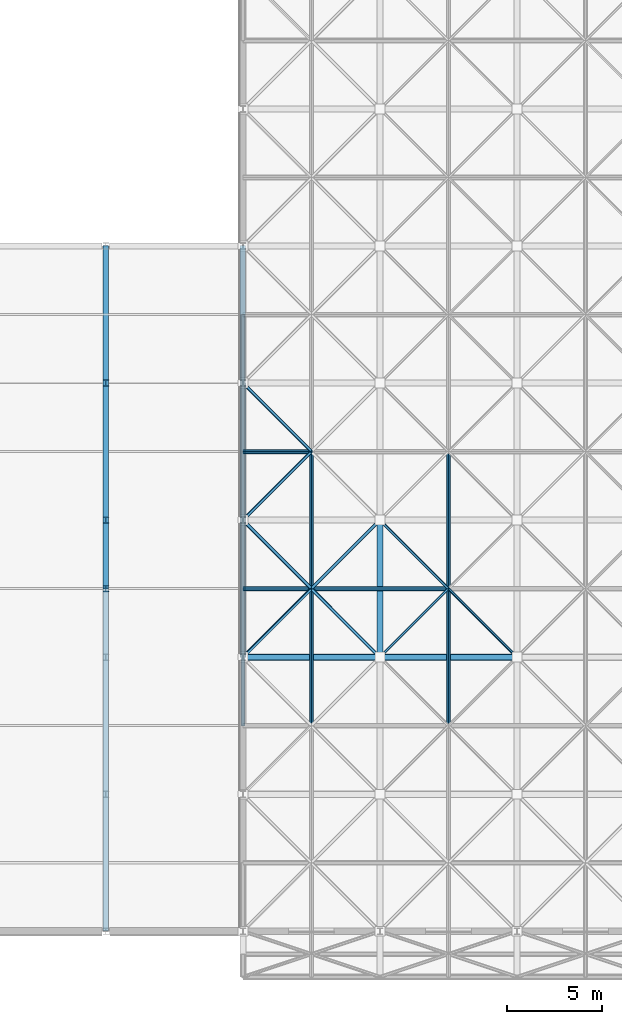
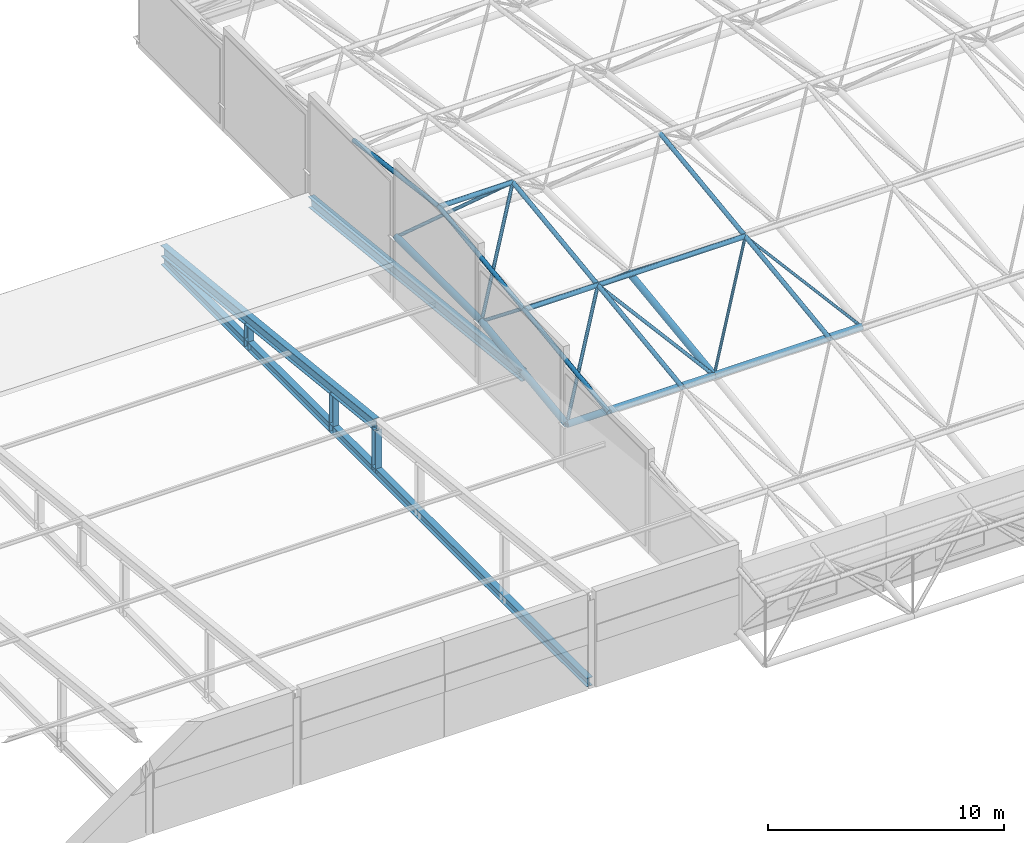
# One storey, part 35 of 103: 30 members.
"""IFC4 building model written with IfcOpenShell, lengths in metres."""

import ifcopenshell
import ifcopenshell.guid

model = None  # the IFC model being written
_history = None  # IfcOwnerHistory: only IFC2X3 demands one
_inside = {}  # id of a spatial element -> (the spatial element, [elements in it])
_under = {}  # id of a project, library or spatial element -> (it, [spatial elements below it])
_declared = {}  # id of a project -> (the project, [libraries it declares])
_typed = {}  # id of a type object -> (the type object, [elements of that type])
_made_of = {}  # id of a material, layer set ... -> (it, [elements and type objects made of it])


def new_model(schema):
    """Start an empty IFC model of exactly this schema.

    Asked for "IFC4X3", IfcOpenShell would pick the latest addendum, in which some entities
    have other attributes; the version numbers below select the first issue.
    IFC2X3 requires an IfcOwnerHistory on every rooted entity: one is made here for all.
    """
    global model, _history
    if schema == "IFC4X3":
        model = ifcopenshell.file(schema_version=(4, 3, 0, 0))
    else:
        model = ifcopenshell.file(schema=schema)
    _inside.clear()
    _under.clear()
    _declared.clear()
    _typed.clear()
    _made_of.clear()
    _history = None
    if model.schema == "IFC2X3":
        org = make("IfcOrganization", Name="unknown")
        user = make(
            "IfcPersonAndOrganization",
            ThePerson=make("IfcPerson", FamilyName="unknown"),
            TheOrganization=org,
        )
        app = make(
            "IfcApplication",
            ApplicationDeveloper=org,
            Version="unknown",
            ApplicationFullName="unknown",
            ApplicationIdentifier="unknown",
        )
        _history = make(
            "IfcOwnerHistory",
            OwningUser=user,
            OwningApplication=app,
            ChangeAction="ADDED",
            CreationDate=0,
        )
    return model


def make(cls, **values):
    """One entity of the class cls with the attributes given. An attribute that is None is left unset."""
    return model.create_entity(
        cls, **{name: value for name, value in values.items() if value is not None}
    )


def rooted(cls, **values):
    """An entity with a GlobalId (a new one), such as an element, a storey or a relation."""
    return make(cls, GlobalId=ifcopenshell.guid.new(), OwnerHistory=_history, **values)


def si_unit(unit_type, name, prefix=None):
    """IfcSIUnit, for example si_unit("LENGTHUNIT", "METRE", prefix="MILLI")."""
    return make("IfcSIUnit", UnitType=unit_type, Prefix=prefix, Name=name)


def assignment(units):
    """IfcUnitAssignment: the units of a project."""
    return None if units is None else make("IfcUnitAssignment", Units=units)


def point(xyz):
    """IfcCartesianPoint."""
    return None if xyz is None else make("IfcCartesianPoint", Coordinates=xyz)


def direction(xyz):
    """IfcDirection."""
    return None if xyz is None else make("IfcDirection", DirectionRatios=xyz)


def frame(location, z_axis=None, x_axis=None):
    """IfcAxis2Placement3D, a coordinate frame: its origin and axes. An axis left out is left unset."""
    return make(
        "IfcAxis2Placement3D",
        Location=point(location),
        Axis=direction(z_axis),
        RefDirection=direction(x_axis),
    )


def frame_2d(location, x_axis=None):
    """IfcAxis2Placement2D, a coordinate frame in the plane: its origin and x axis."""
    return make(
        "IfcAxis2Placement2D", Location=point(location), RefDirection=direction(x_axis)
    )


def origin():
    """The frame at (0, 0, 0) with its axes left unset."""
    return frame((0.0, 0.0, 0.0))


def origin_2d():
    """The frame at (0, 0) in the plane with its x axis left unset."""
    return frame_2d((0.0, 0.0))


def place(relative_to, where):
    """IfcLocalPlacement: puts the frame where relative to a parent placement (None: the world)."""
    return make(
        "IfcLocalPlacement", PlacementRelTo=relative_to, RelativePlacement=where
    )


def context(
    kind, dimensions, precision=None, world=None, true_north=None, identifier=None
):
    """IfcGeometricRepresentationContext, for example the 3D "Model" context."""
    return make(
        "IfcGeometricRepresentationContext",
        ContextIdentifier=identifier,
        ContextType=kind,
        CoordinateSpaceDimension=dimensions,
        Precision=precision,
        WorldCoordinateSystem=world,
        TrueNorth=true_north,
    )


def subcontext(parent, identifier, kind, view, scale=None):
    """IfcGeometricRepresentationSubContext, for example "Body" below "Model"."""
    return make(
        "IfcGeometricRepresentationSubContext",
        ContextIdentifier=identifier,
        ContextType=kind,
        ParentContext=parent,
        TargetScale=scale,
        TargetView=view,
    )


def project(units=None, contexts=None):
    """IfcProject with its units and contexts."""
    return rooted(
        "IfcProject",
        Name="project",
        RepresentationContexts=contexts,
        UnitsInContext=assignment(units),
    )


def spatial(cls, under=None, at=None, **own):
    """A site, building, storey or space (cls), placed at a placement, below another one or the project."""
    s = rooted(cls, ObjectPlacement=at, **own)
    if under is not None:
        _under.setdefault(under.id(), (under, []))[1].append(s)
    return s


def profile(cls, at=None, kind="AREA", **sizes):
    """A parametric profile (cls). Its sizes go by their IFC names, for example OverallWidth=200.0."""
    return make(cls, ProfileType=kind, Position=at, **sizes)


def hollow_circle(**sizes):
    """IfcCircleHollowProfileDef."""
    return profile("IfcCircleHollowProfileDef", **sizes)


def i_section(**sizes):
    """IfcIShapeProfileDef."""
    return profile("IfcIShapeProfileDef", **sizes)


def extrude(swept, where, along, depth):
    """IfcExtrudedAreaSolid: the profile swept, set in the frame where, extruded along a direction by depth."""
    return make(
        "IfcExtrudedAreaSolid",
        SweptArea=swept,
        Position=where,
        ExtrudedDirection=direction(along),
        Depth=depth,
    )


def shape(context_of_items, identifier, shape_type, items):
    """IfcShapeRepresentation: the items that make up one representation, for example the "Body"."""
    return make(
        "IfcShapeRepresentation",
        ContextOfItems=context_of_items,
        RepresentationIdentifier=identifier,
        RepresentationType=shape_type,
        Items=items,
    )


def material(Name=None, Category=None):
    """IfcMaterial."""
    return make("IfcMaterial", Name=Name, Category=Category)


def material_profile(
    of_material, cross_section, Name=None, Category=None, Priority=None
):
    """IfcMaterialProfile: a cross section and its material."""
    return make(
        "IfcMaterialProfile",
        Name=Name,
        Material=of_material,
        Profile=cross_section,
        Priority=Priority,
        Category=Category,
    )


def profile_set(profiles, Name=None, composite=None):
    """IfcMaterialProfileSet."""
    return make(
        "IfcMaterialProfileSet",
        Name=Name,
        MaterialProfiles=profiles,
        CompositeProfile=composite,
    )


def made_of(thing, what):
    """Note that an element or type object is made of a material, layer set ...; save() writes the relation."""
    if what is not None:
        _made_of.setdefault(what.id(), (what, []))[1].append(thing)
    return thing


def type_object(cls, material=None, **own):
    """A type object (cls), such as IfcWallType, which elements share."""
    return made_of(rooted(cls, **own), material)


def element(
    cls,
    number,
    at=None,
    inside=None,
    cuts=None,
    type_object=None,
    material=None,
    context=None,
    identifier="Body",
    shape_type=None,
    held_by="IfcProductDefinitionShape",
    body=None,
    shapes=None,
    **own,
):
    """One element of the class cls, such as IfcWall. Its Tag is "e" and its number.

    at: its placement. inside: the storey or other place that contains it. cuts: it is an
    opening in that element (IfcRelVoidsElement). A single representation is given by context,
    identifier, shape_type and body (its items); several are given by shapes. held_by: the class
    of the entity that holds the representations. save() writes the other relations.
    """
    e = rooted(cls, Tag="e%d" % number, ObjectPlacement=at, **own)
    if body is not None:
        shapes = [shape(context, identifier, shape_type, body)]
    if shapes is not None:
        e.Representation = make(held_by, Representations=shapes)
    if inside is not None:
        _inside.setdefault(inside.id(), (inside, []))[1].append(e)
    if cuts is not None:
        rooted(
            "IfcRelVoidsElement", RelatingBuildingElement=cuts, RelatedOpeningElement=e
        )
    if type_object is not None:
        _typed.setdefault(type_object.id(), (type_object, []))[1].append(e)
    return made_of(e, material)


def aggregate(whole, parts):
    """IfcRelAggregates: a whole, such as a stair, and the parts it consists of."""
    return rooted("IfcRelAggregates", RelatingObject=whole, RelatedObjects=parts)


def save(model, path):
    """Write the relations noted so far, then the file.

    IfcRelAggregates (storeys below a building ...), IfcRelContainedInSpatialStructure (elements
    in a storey), IfcRelDefinesByType, IfcRelAssociatesMaterial and IfcRelDeclares: one each for
    every whole, place, type object, material and project.
    """
    for whole, parts in _under.values():
        aggregate(whole, parts)
    for where, things in _inside.values():
        rooted(
            "IfcRelContainedInSpatialStructure",
            RelatedElements=things,
            RelatingStructure=where,
        )
    for kind, things in _typed.values():
        rooted("IfcRelDefinesByType", RelatedObjects=things, RelatingType=kind)
    for what, things in _made_of.values():
        rooted("IfcRelAssociatesMaterial", RelatedObjects=things, RelatingMaterial=what)
    for by, libraries in _declared.values():
        rooted("IfcRelDeclares", RelatingContext=by, RelatedDefinitions=libraries)
    model.write(path)


model = new_model("IFC4")

# Units and contexts
model_context = context("Model", 3, precision=1e-05, world=origin(), true_north=direction((0.0, 1.0)))
body_context = subcontext(model_context, "Body", "Model", "MODEL_VIEW")
ifc_project = project(units=[si_unit("LENGTHUNIT", "METRE"), si_unit("AREAUNIT", "SQUARE_METRE"), si_unit("VOLUMEUNIT", "CUBIC_METRE"), si_unit("PLANEANGLEUNIT", "RADIAN"), si_unit("MASSUNIT", "GRAM", prefix="KILO")], contexts=[model_context])

# Site, building, storey
site_placement = place(None, origin())
site = spatial("IfcSite", under=ifc_project, at=site_placement, CompositionType="ELEMENT")
building_placement = place(site_placement, origin())
building = spatial("IfcBuilding", under=site, at=building_placement, Name="Thalmaran Polytechnic", CompositionType="ELEMENT")
storey_placement = place(building_placement, frame((0.0, 0.0, 14.39990234375)))
storey = spatial("IfcBuildingStorey", under=building, at=storey_placement, Name="L03", CompositionType="ELEMENT", Elevation=14.39990234375)

# Members
ifc_material = material(Name="Steel S355", Category="steel")
ifc_material_profile_1 = material_profile(ifc_material, i_section(OverallWidth=0.300048828125, OverallDepth=0.449951171875, WebThickness=0.013916015625, FlangeThickness=0.02587890625, at=origin_2d()), Name="HEB 450")
ifc_profile_set_1 = profile_set([ifc_material_profile_1], Name="Steel S355")
member_type_1 = type_object("IfcMemberType", Name="MB-CHD1", PredefinedType="CHORD", material=ifc_profile_set_1)
member_1_placement = place(storey_placement, frame((100.800048828125, 0.0, 0.22021484375), z_axis=(0.0, 1.0, 0.0), x_axis=(-1.0, 0.0, 0.0)))
element("IfcMember", 1, at=member_1_placement, inside=storey, type_object=member_type_1, Name="Lecture Truss Bottom Tie G14", PredefinedType="CHORD", context=body_context, shape_type="SweptSolid", body=[
    extrude(i_section(OverallWidth=0.300048828125, OverallDepth=0.449951171875, WebThickness=0.013916015625, FlangeThickness=0.02587890625, at=origin_2d()), origin(), (0.0, 0.0, 1.0), 36.0),
])
ifc_material_profile_2 = material_profile(ifc_material, i_section(OverallWidth=0.300048828125, OverallDepth=0.550048828125, WebThickness=0.014892578125, FlangeThickness=0.029052734375, at=origin_2d()), Name="HEB 550")
ifc_profile_set_2 = profile_set([ifc_material_profile_2], Name="Steel S355")
member_type_2 = type_object("IfcMemberType", Name="MB-RAF1", PredefinedType="RAFTER", material=ifc_profile_set_2)
for number, where, z_axis, x_axis, name in (
    (2, (100.800048828125, 18.0, 2.625), (0.0, 0.994331173595, -0.10632740577), (-1.0, 0.0, 0.0), "Lecture Raked Roof Rafter North G14"),
    (3, (108.0, 18.0, 2.625), (0.0, 0.994331173595, -0.10632740577), (-1.0, 0.0, 0.0), "Lecture Raked Roof Rafter North G15"),
):
    element("IfcMember", number, at=place(storey_placement, frame(where, z_axis=z_axis, x_axis=x_axis)), inside=storey, type_object=member_type_2, Name=name, PredefinedType="RAFTER", context=body_context, shape_type="SweptSolid", body=[
        extrude(i_section(OverallWidth=0.300048828125, OverallDepth=0.550048828125, WebThickness=0.014892578125, FlangeThickness=0.029052734375, at=origin_2d()), origin(), (0.0, 0.0, 1.0), 18.1025390625),
    ])
ifc_material_profile_3 = material_profile(ifc_material, hollow_circle(Radius=0.161865234375, WallThickness=0.012451171875, at=origin_2d()), Name="CHS 323.9x12.5")
ifc_profile_set_3 = profile_set([ifc_material_profile_3], Name="Steel S355")
member_type_3 = type_object("IfcMemberType", Name="MB-SFC0", PredefinedType="CHORD", material=ifc_profile_set_3)
member_2_placement = place(storey_placement, frame((108.0, 14.39990234375, 2.27587890625), z_axis=(0.0, 0.991443536444, 0.130536255663), x_axis=(-1.0, 0.0, 0.0)))
element("IfcMember", 4, at=member_2_placement, inside=storey, type_object=member_type_3, Name="Space-Frame Bottom Chord Y (0,3)", PredefinedType="CHORD", context=body_context, shape_type="SweptSolid", body=[
    extrude(hollow_circle(Radius=0.161865234375, WallThickness=0.012451171875, at=origin_2d()), origin(), (0.0, 0.0, 1.0), 7.262451171875),
])
member_3_placement = place(storey_placement, frame((108.0, 21.60009765625, 3.223876953125), z_axis=(0.0, 1.0, 0.0), x_axis=(-1.0, 0.0, 0.0)))
element("IfcMember", 5, at=member_3_placement, inside=storey, type_object=member_type_3, Name="Space-Frame Bottom Chord Y (0,4)", PredefinedType="CHORD", context=body_context, shape_type="SweptSolid", body=[
    extrude(hollow_circle(Radius=0.161865234375, WallThickness=0.012451171875, at=origin_2d()), origin(), (0.0, 0.0, 1.0), 7.199951171875),
])
ifc_material_profile_4 = material_profile(ifc_material, hollow_circle(Radius=0.122314453125, WallThickness=0.010009765625, at=origin_2d()), Name="CHS 244.5x10.0")
ifc_profile_set_4 = profile_set([ifc_material_profile_4], Name="Steel S355")
member_type_4 = type_object("IfcMemberType", Name="MB-SFC1", PredefinedType="CHORD", material=ifc_profile_set_4)
for number, where, z_axis, x_axis, name in (
    (6, (108.0, 18.0, 6.019775390625), (1.0, 0.0, 0.0), (0.0, 1.0, 0.0), "Space-Frame Top Chord X (0,4)"),
    (7, (108.0, 25.199951171875, 6.9677734375), (1.0, 0.0, 0.0), (0.0, 1.0, 0.0), "Space-Frame Top Chord X (0,5)"),
):
    element("IfcMember", number, at=place(storey_placement, frame(where, z_axis=z_axis, x_axis=x_axis)), inside=storey, type_object=member_type_4, Name=name, PredefinedType="CHORD", context=body_context, shape_type="SweptSolid", body=[
        extrude(hollow_circle(Radius=0.122314453125, WallThickness=0.010009765625, at=origin_2d()), origin(), (0.0, 0.0, 1.0), 3.60009765625),
    ])
member_4_placement = place(storey_placement, frame((111.60009765625, 18.0, 6.019775390625), z_axis=(1.0, 0.0, 0.0), x_axis=(0.0, 1.0, 0.0)))
element("IfcMember", 8, at=member_4_placement, inside=storey, type_object=member_type_4, Name="Space-Frame Top Chord X (1,4)", PredefinedType="CHORD", context=body_context, shape_type="SweptSolid", body=[
    extrude(hollow_circle(Radius=0.122314453125, WallThickness=0.010009765625, at=origin_2d()), origin(), (0.0, 0.0, 1.0), 7.199951171875),
])
ifc_material_profile_5 = material_profile(ifc_material, hollow_circle(Radius=0.109619140625, WallThickness=0.010009765625, at=origin_2d()), Name="CHS 219.1x10.0")
ifc_profile_set_5 = profile_set([ifc_material_profile_5], Name="Steel S355")
member_type_5 = type_object("IfcMemberType", Name="MB-SFC2", PredefinedType="CHORD", material=ifc_profile_set_5)
member_5_placement = place(storey_placement, frame((108.0, 10.800048828125, 5.072021484375), z_axis=(0.0, 0.991447314079, 0.130507560722), x_axis=(-1.0, 0.0, 0.0)))
element("IfcMember", 9, at=member_5_placement, inside=storey, type_object=member_type_5, Name="Space-Frame Top Chord Y (0,3)", PredefinedType="CHORD", context=body_context, shape_type="SweptSolid", body=[
    extrude(hollow_circle(Radius=0.109619140625, WallThickness=0.010009765625, at=origin_2d()), origin(), (0.0, 0.0, 1.0), 7.261962890625),
])
for number, where, z_axis, x_axis, name in (
    (10, (108.0, 18.0, 6.019775390625), (0.0, 0.991442963585, 0.130540606544), (-1.0, 0.0, 0.0), "Space-Frame Top Chord Y (0,4)"),
    (11, (108.0, 25.199951171875, 6.9677734375), (0.0, 0.991442963585, -0.130540606544), (-1.0, 0.0, 0.0), "Space-Frame Top Chord Y (0,5)"),
):
    element("IfcMember", number, at=place(storey_placement, frame(where, z_axis=z_axis, x_axis=x_axis)), inside=storey, type_object=member_type_5, Name=name, PredefinedType="CHORD", context=body_context, shape_type="SweptSolid", body=[
        extrude(hollow_circle(Radius=0.109619140625, WallThickness=0.010009765625, at=origin_2d()), origin(), (0.0, 0.0, 1.0), 7.26220703125),
    ])
member_6_placement = place(storey_placement, frame((111.60009765625, 10.800048828125, 5.072021484375), z_axis=(0.0, 0.991447314079, 0.130507560722), x_axis=(-1.0, 0.0, 0.0)))
element("IfcMember", 12, at=member_6_placement, inside=storey, type_object=member_type_5, Name="Space-Frame Top Chord Y (1,3)", PredefinedType="CHORD", context=body_context, shape_type="SweptSolid", body=[
    extrude(hollow_circle(Radius=0.109619140625, WallThickness=0.010009765625, at=origin_2d()), origin(), (0.0, 0.0, 1.0), 7.261962890625),
])
member_7_placement = place(storey_placement, frame((111.60009765625, 18.0, 6.019775390625), z_axis=(0.0, 0.991442963585, 0.130540606544), x_axis=(-1.0, 0.0, 0.0)))
element("IfcMember", 13, at=member_7_placement, inside=storey, type_object=member_type_5, Name="Space-Frame Top Chord Y (1,4)", PredefinedType="CHORD", context=body_context, shape_type="SweptSolid", body=[
    extrude(hollow_circle(Radius=0.109619140625, WallThickness=0.010009765625, at=origin_2d()), origin(), (0.0, 0.0, 1.0), 7.26220703125),
])
member_8_placement = place(storey_placement, frame((118.800048828125, 10.800048828125, 5.072021484375), z_axis=(0.0, 0.991447314079, 0.130507560722), x_axis=(-1.0, 0.0, 0.0)))
element("IfcMember", 14, at=member_8_placement, inside=storey, type_object=member_type_5, Name="Space-Frame Top Chord Y (2,3)", PredefinedType="CHORD", context=body_context, shape_type="SweptSolid", body=[
    extrude(hollow_circle(Radius=0.109619140625, WallThickness=0.010009765625, at=origin_2d()), origin(), (0.0, 0.0, 1.0), 7.261962890625),
])
member_9_placement = place(storey_placement, frame((118.800048828125, 18.0, 6.019775390625), z_axis=(0.0, 0.991442963585, 0.130540606544), x_axis=(-1.0, 0.0, 0.0)))
element("IfcMember", 15, at=member_9_placement, inside=storey, type_object=member_type_5, Name="Space-Frame Top Chord Y (2,4)", PredefinedType="CHORD", context=body_context, shape_type="SweptSolid", body=[
    extrude(hollow_circle(Radius=0.109619140625, WallThickness=0.010009765625, at=origin_2d()), origin(), (0.0, 0.0, 1.0), 7.26220703125),
])
ifc_material_profile_6 = material_profile(ifc_material, hollow_circle(Radius=0.161865234375, WallThickness=0.012451171875, at=origin_2d()), Name="CHS 323.9x12.5")
ifc_profile_set_6 = profile_set([ifc_material_profile_6], Name="Steel S355")
member_type_6 = type_object("IfcMemberType", Name="MB-SFC4", PredefinedType="CHORD", material=ifc_profile_set_6)
for number, where, z_axis, x_axis, name in (
    (16, (108.0, 14.39990234375, 2.27587890625), (1.0, 0.0, 0.0), (0.0, 1.0, 0.0), "Space-Frame Bottom Chord X (0,3)"),
    (17, (115.199951171875, 14.39990234375, 2.27587890625), (1.0, 0.0, 0.0), (0.0, 1.0, 0.0), "Space-Frame Bottom Chord X (1,3)"),
):
    element("IfcMember", number, at=place(storey_placement, frame(where, z_axis=z_axis, x_axis=x_axis)), inside=storey, type_object=member_type_6, Name=name, PredefinedType="CHORD", context=body_context, shape_type="SweptSolid", body=[
        extrude(hollow_circle(Radius=0.161865234375, WallThickness=0.012451171875, at=origin_2d()), origin(), (0.0, 0.0, 1.0), 7.199951171875),
    ])
member_10_placement = place(storey_placement, frame((115.199951171875, 14.39990234375, 2.27587890625), z_axis=(0.0, 0.991443536444, 0.130536255663), x_axis=(-1.0, 0.0, 0.0)))
element("IfcMember", 18, at=member_10_placement, inside=storey, type_object=member_type_6, Name="Space-Frame Bottom Chord Y (1,3)", PredefinedType="CHORD", context=body_context, shape_type="SweptSolid", body=[
    extrude(hollow_circle(Radius=0.161865234375, WallThickness=0.012451171875, at=origin_2d()), origin(), (0.0, 0.0, 1.0), 7.262451171875),
])
ifc_material_profile_7 = material_profile(ifc_material, hollow_circle(Radius=0.084228515625, WallThickness=0.008056640625, at=origin_2d()), Name="CHS 168.3x8.0")
ifc_profile_set_7 = profile_set([ifc_material_profile_7], Name="Steel S355")
member_type_7 = type_object("IfcMemberType", Name="MB-SFD1", PredefinedType="BRACE", material=ifc_profile_set_7)
for number, where, z_axis, x_axis, name in (
    (19, (108.0, 14.39990234375, 2.27587890625), (0.569665890713, 0.569665890713, 0.592420075552), (-0.707106781187, 0.707106781187, 0.0), "Space-Frame Web Diagonal (0,3)-1"),
    (20, (115.199951171875, 14.39990234375, 2.27587890625), (-0.569639794751, 0.569678427494, 0.592433113089), (-0.707130757816, -0.707082803744, 0.0), "Space-Frame Web Diagonal (0,3)-2"),
):
    element("IfcMember", number, at=place(storey_placement, frame(where, z_axis=z_axis, x_axis=x_axis)), inside=storey, type_object=member_type_7, Name=name, PredefinedType="BRACE", context=body_context, shape_type="SweptSolid", body=[
        extrude(hollow_circle(Radius=0.084228515625, WallThickness=0.008056640625, at=origin_2d()), origin(), (0.0, 0.0, 1.0), 6.319580078125),
    ])
member_11_placement = place(storey_placement, frame((108.0, 21.60009765625, 3.223876953125), z_axis=(0.619800169112, -0.619800169112, 0.481347588273), x_axis=(0.707106781187, 0.707106781187, 0.0)))
element("IfcMember", 21, at=member_11_placement, inside=storey, type_object=member_type_7, Name="Space-Frame Web Diagonal (0,3)-3", PredefinedType="BRACE", context=body_context, shape_type="SweptSolid", body=[
    extrude(hollow_circle(Radius=0.084228515625, WallThickness=0.008056640625, at=origin_2d()), origin(), (0.0, 0.0, 1.0), 5.80859375),
])
member_12_placement = place(storey_placement, frame((115.199951171875, 21.60009765625, 3.223876953125), z_axis=(-0.619774282943, -0.619816315787, 0.481360128061), x_axis=(0.707130757816, -0.707082803744, 0.0)))
element("IfcMember", 22, at=member_12_placement, inside=storey, type_object=member_type_7, Name="Space-Frame Web Diagonal (0,3)-4", PredefinedType="BRACE", context=body_context, shape_type="SweptSolid", body=[
    extrude(hollow_circle(Radius=0.084228515625, WallThickness=0.008056640625, at=origin_2d()), origin(), (0.0, 0.0, 1.0), 5.808349609375),
])
for number, where, z_axis, x_axis, name in (
    (23, (108.0, 21.60009765625, 3.223876953125), (0.569678427494, 0.569639794751, 0.592433113089), (-0.707082803744, 0.707130757816, 0.0), "Space-Frame Web Diagonal (0,4)-1"),
    (24, (108.0, 28.800048828125, 3.223876953125), (0.569665890713, -0.569665890713, 0.592420075552), (0.707106781187, 0.707106781187, 0.0), "Space-Frame Web Diagonal (0,4)-3"),
):
    element("IfcMember", number, at=place(storey_placement, frame(where, z_axis=z_axis, x_axis=x_axis)), inside=storey, type_object=member_type_7, Name=name, PredefinedType="BRACE", context=body_context, shape_type="SweptSolid", body=[
        extrude(hollow_circle(Radius=0.084228515625, WallThickness=0.008056640625, at=origin_2d()), origin(), (0.0, 0.0, 1.0), 6.319580078125),
    ])
ifc_material_profile_8 = material_profile(ifc_material, hollow_circle(Radius=0.06982421875, WallThickness=0.008056640625, at=origin_2d()), Name="CHS 139.7x8.0")
ifc_profile_set_8 = profile_set([ifc_material_profile_8], Name="Steel S355")
member_type_8 = type_object("IfcMemberType", Name="MB-SFD2", PredefinedType="BRACE", material=ifc_profile_set_8)
for number, where, z_axis, x_axis, name in (
    (25, (115.199951171875, 14.39990234375, 2.27587890625), (0.569665890713, 0.569665890713, 0.592420075552), (-0.707106781187, 0.707106781187, 0.0), "Space-Frame Web Diagonal (1,3)-1"),
    (26, (122.39990234375, 14.39990234375, 2.27587890625), (-0.569639794751, 0.569678427494, 0.592433113089), (-0.707130757816, -0.707082803744, 0.0), "Space-Frame Web Diagonal (1,3)-2"),
):
    element("IfcMember", number, at=place(storey_placement, frame(where, z_axis=z_axis, x_axis=x_axis)), inside=storey, type_object=member_type_8, Name=name, PredefinedType="BRACE", context=body_context, shape_type="SweptSolid", body=[
        extrude(hollow_circle(Radius=0.06982421875, WallThickness=0.008056640625, at=origin_2d()), origin(), (0.0, 0.0, 1.0), 6.319580078125),
    ])
member_13_placement = place(storey_placement, frame((115.199951171875, 21.60009765625, 3.223876953125), z_axis=(0.619800169112, -0.619800169112, 0.481347588273), x_axis=(0.707106781187, 0.707106781187, 0.0)))
element("IfcMember", 27, at=member_13_placement, inside=storey, type_object=member_type_8, Name="Space-Frame Web Diagonal (1,3)-3", PredefinedType="BRACE", context=body_context, shape_type="SweptSolid", body=[
    extrude(hollow_circle(Radius=0.06982421875, WallThickness=0.008056640625, at=origin_2d()), origin(), (0.0, 0.0, 1.0), 5.80859375),
])
ifc_material_profile_9 = material_profile(ifc_material, i_section(OverallWidth=0.300048828125, OverallDepth=0.330078125, WebThickness=0.009521484375, FlangeThickness=0.0166015625, at=origin_2d()), Name="HEA 340")
ifc_profile_set_9 = profile_set([ifc_material_profile_9], Name="Steel S355")
member_type_9 = type_object("IfcMemberType", Name="MB-TRS1", PredefinedType="STRUT", material=ifc_profile_set_9)
member_14_placement = place(storey_placement, frame((100.800048828125, 18.0, 0.22021484375), z_axis=(0.0, 0.0, 1.0), x_axis=(1.0, 0.0, 0.0)))
element("IfcMember", 28, at=member_14_placement, inside=storey, type_object=member_type_9, Name="Lecture Truss Mid Web Strut G14", PredefinedType="STRUT", context=body_context, shape_type="SweptSolid", body=[
    extrude(i_section(OverallWidth=0.300048828125, OverallDepth=0.330078125, WebThickness=0.009521484375, FlangeThickness=0.0166015625, at=origin_2d()), origin(), (0.0, 0.0, 1.0), 2.204833984375),
])
member_15_placement = place(storey_placement, frame((100.800048828125, 21.60009765625, 0.0), z_axis=(0.0, 0.0, 1.0), x_axis=(1.0, 0.0, 0.0)))
element("IfcMember", 29, at=member_15_placement, inside=storey, type_object=member_type_9, Name="Lecture Truss Web Strut G14-21", PredefinedType="STRUT", context=body_context, shape_type="SweptSolid", body=[
    extrude(i_section(OverallWidth=0.300048828125, OverallDepth=0.330078125, WebThickness=0.009521484375, FlangeThickness=0.0166015625, at=origin_2d()), origin(), (0.0, 0.0, 1.0), 1.989990234375),
])
member_16_placement = place(storey_placement, frame((100.800048828125, 28.800048828125, 0.0), z_axis=(0.0, 0.0, 1.0), x_axis=(1.0, 0.0, 0.0)))
element("IfcMember", 30, at=member_16_placement, inside=storey, type_object=member_type_9, Name="Lecture Truss Web Strut G14-28", PredefinedType="STRUT", context=body_context, shape_type="SweptSolid", body=[
    extrude(i_section(OverallWidth=0.300048828125, OverallDepth=0.330078125, WebThickness=0.009521484375, FlangeThickness=0.0166015625, at=origin_2d()), origin(), (0.0, 0.0, 1.0), 1.22021484375),
])

save(model, "model.ifc")
